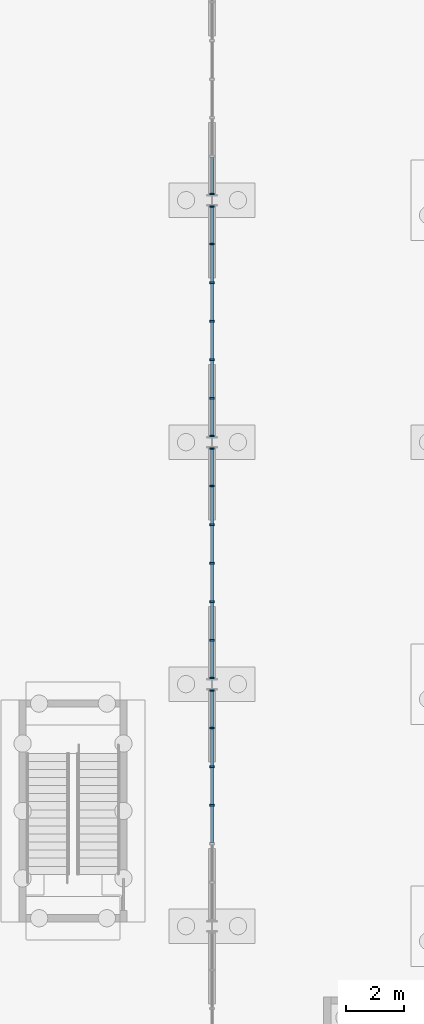
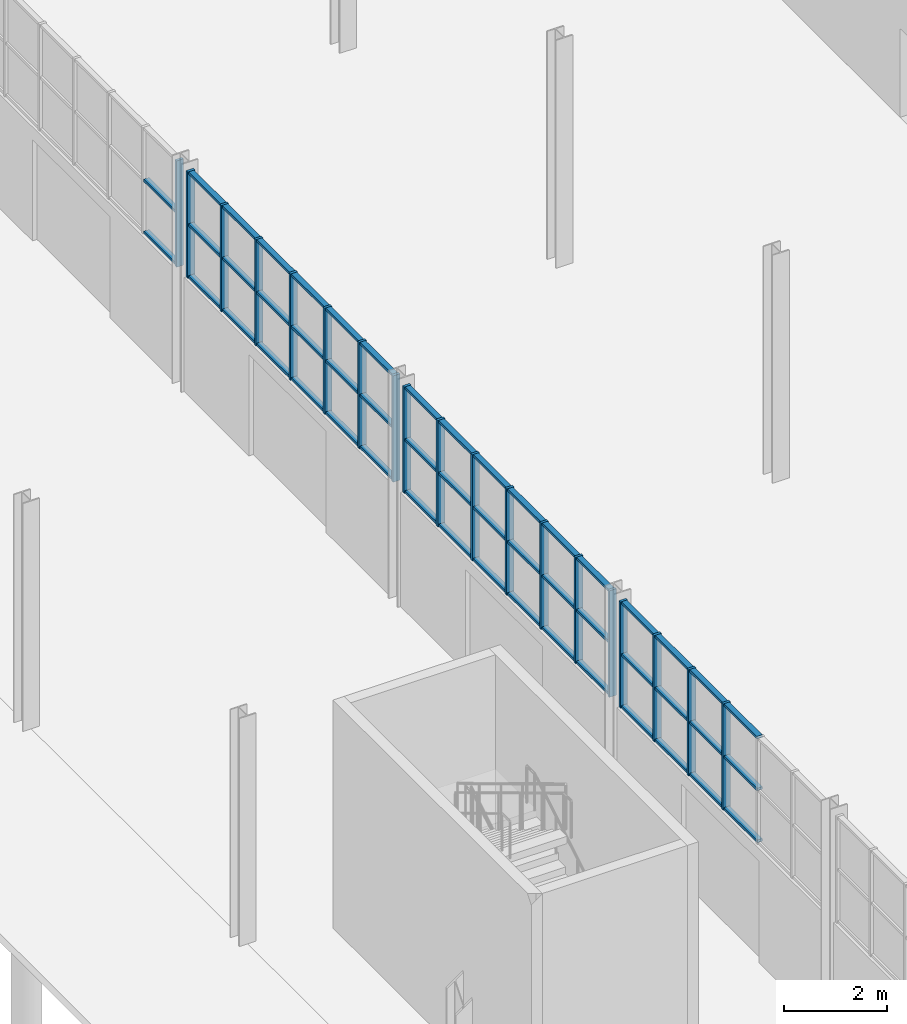
# One storey, part 35 of 127: 69 members, 4 elements without a shape of their own.
"""IFC4 building model written with IfcOpenShell, lengths in metres."""

from ifc_helpers import new_model, si_unit, direction, frame, origin, origin_2d, place, context, subcontext, project, spatial, rectangle, extrude, material, material_profile, profile_set, type_object, element, aggregate, save


model = new_model("IFC4")

# Units and contexts
model_context = context("Model", 3, precision=1e-05, world=origin(), true_north=direction((0.0, 1.0)))
body_context = subcontext(model_context, "Body", "Model", "MODEL_VIEW")
ifc_project = project(units=[si_unit("LENGTHUNIT", "METRE"), si_unit("AREAUNIT", "SQUARE_METRE"), si_unit("VOLUMEUNIT", "CUBIC_METRE"), si_unit("PLANEANGLEUNIT", "RADIAN"), si_unit("MASSUNIT", "GRAM", prefix="KILO")], contexts=[model_context])

# Site, building, storey
site_placement = place(None, origin())
site = spatial("IfcSite", under=ifc_project, at=site_placement, CompositionType="ELEMENT")
building_placement = place(site_placement, origin())
building = spatial("IfcBuilding", under=site, at=building_placement, Name="Ljudholm Concert House", CompositionType="ELEMENT")
storey_placement = place(building_placement, origin())
storey = spatial("IfcBuildingStorey", under=building, at=storey_placement, Name="L00", CompositionType="ELEMENT", Elevation=0.0)

# Curtain wall, members
ifc_material_1 = material(Name="Aluminium curtain wall with impact-rated laminated glass", Category="aluminium")
curtain_wall_type = type_object("IfcCurtainWallType", Name="CURTAIN WALL 1400", PredefinedType="NOTDEFINED", material=ifc_material_1)
curtain_wall_1_placement = place(storey_placement, origin())
curtain_wall_1 = element("IfcCurtainWall", 1, at=curtain_wall_1_placement, inside=storey, type_object=curtain_wall_type, Name="Foyer curtain wall", PredefinedType="NOTDEFINED")
ifc_material_2 = material(Name="Aluminium extrusion", Category="aluminium")
ifc_material_profile_1 = material_profile(ifc_material_2, rectangle(XDim=0.159912109375, YDim=0.06005859375, at=origin_2d()), Name="MULLION 60x160")
ifc_profile_set_1 = profile_set([ifc_material_profile_1], Name="Aluminium extrusion")
member_type_1 = type_object("IfcMemberType", Name="MULLION 60x160", PredefinedType="MULLION", material=ifc_profile_set_1)
member_1_placement = place(storey_placement, frame((12.39990234375, 67.0, 2.699951171875), z_axis=(0.0, 0.0, 1.0), x_axis=(-1.0, 0.0, 0.0)))
member_1 = element("IfcMember", 2, at=member_1_placement, type_object=member_type_1, Name="Mullion", PredefinedType="MULLION", context=body_context, shape_type="SweptSolid", body=[
    extrude(rectangle(XDim=0.159912109375, YDim=0.06005859375, at=origin_2d()), origin(), (0.0, 0.0, 1.0), 2.52001953125),
])
member_2_placement = place(storey_placement, frame((12.39990234375, 68.337890625, 2.699951171875), z_axis=(0.0, 0.0, 1.0), x_axis=(-1.0, 0.0, 0.0)))
member_2 = element("IfcMember", 3, at=member_2_placement, type_object=member_type_1, Name="Mullion", PredefinedType="MULLION", context=body_context, shape_type="SweptSolid", body=[
    extrude(rectangle(XDim=0.159912109375, YDim=0.06005859375, at=origin_2d()), origin(), (0.0, 0.0, 1.0), 2.52001953125),
])
member_3_placement = place(storey_placement, frame((12.39990234375, 69.675537109375, 2.699951171875), z_axis=(0.0, 0.0, 1.0), x_axis=(-1.0, 0.0, 0.0)))
member_3 = element("IfcMember", 4, at=member_3_placement, type_object=member_type_1, Name="Mullion", PredefinedType="MULLION", context=body_context, shape_type="SweptSolid", body=[
    extrude(rectangle(XDim=0.159912109375, YDim=0.06005859375, at=origin_2d()), origin(), (0.0, 0.0, 1.0), 2.52001953125),
])
member_4_placement = place(storey_placement, frame((12.39990234375, 70.9833984375, 2.699951171875), z_axis=(0.0, 0.0, 1.0), x_axis=(-1.0, 0.0, 0.0)))
member_4 = element("IfcMember", 5, at=member_4_placement, type_object=member_type_1, Name="Mullion", PredefinedType="MULLION", context=body_context, shape_type="SweptSolid", body=[
    extrude(rectangle(XDim=0.159912109375, YDim=0.06005859375, at=origin_2d()), origin(), (0.0, 0.0, 1.0), 2.52001953125),
])

curtain_wall_2_placement = place(storey_placement, origin())
curtain_wall_2 = element("IfcCurtainWall", 6, at=curtain_wall_2_placement, inside=storey, type_object=curtain_wall_type, Name="Foyer curtain wall", PredefinedType="NOTDEFINED")
member_5_placement = place(storey_placement, frame((12.39990234375, 71.416748046875, 2.699951171875), z_axis=(0.0, 0.0, 1.0), x_axis=(-1.0, 0.0, 0.0)))
member_5 = element("IfcMember", 7, at=member_5_placement, type_object=member_type_1, Name="Mullion", PredefinedType="MULLION", context=body_context, shape_type="SweptSolid", body=[
    extrude(rectangle(XDim=0.159912109375, YDim=0.06005859375, at=origin_2d()), origin(), (0.0, 0.0, 1.0), 2.52001953125),
])
member_6_placement = place(storey_placement, frame((12.39990234375, 72.724365234375, 2.699951171875), z_axis=(0.0, 0.0, 1.0), x_axis=(-1.0, 0.0, 0.0)))
member_6 = element("IfcMember", 8, at=member_6_placement, type_object=member_type_1, Name="Mullion", PredefinedType="MULLION", context=body_context, shape_type="SweptSolid", body=[
    extrude(rectangle(XDim=0.159912109375, YDim=0.06005859375, at=origin_2d()), origin(), (0.0, 0.0, 1.0), 2.52001953125),
])
member_7_placement = place(storey_placement, frame((12.39990234375, 74.062255859375, 2.699951171875), z_axis=(0.0, 0.0, 1.0), x_axis=(-1.0, 0.0, 0.0)))
member_7 = element("IfcMember", 9, at=member_7_placement, type_object=member_type_1, Name="Mullion", PredefinedType="MULLION", context=body_context, shape_type="SweptSolid", body=[
    extrude(rectangle(XDim=0.159912109375, YDim=0.06005859375, at=origin_2d()), origin(), (0.0, 0.0, 1.0), 2.52001953125),
])
member_8_placement = place(storey_placement, frame((12.39990234375, 75.39990234375, 2.699951171875), z_axis=(0.0, 0.0, 1.0), x_axis=(-1.0, 0.0, 0.0)))
member_8 = element("IfcMember", 10, at=member_8_placement, type_object=member_type_1, Name="Mullion", PredefinedType="MULLION", context=body_context, shape_type="SweptSolid", body=[
    extrude(rectangle(XDim=0.159912109375, YDim=0.06005859375, at=origin_2d()), origin(), (0.0, 0.0, 1.0), 2.52001953125),
])
member_9_placement = place(storey_placement, frame((12.39990234375, 76.73779296875, 2.699951171875), z_axis=(0.0, 0.0, 1.0), x_axis=(-1.0, 0.0, 0.0)))
member_9 = element("IfcMember", 11, at=member_9_placement, type_object=member_type_1, Name="Mullion", PredefinedType="MULLION", context=body_context, shape_type="SweptSolid", body=[
    extrude(rectangle(XDim=0.159912109375, YDim=0.06005859375, at=origin_2d()), origin(), (0.0, 0.0, 1.0), 2.52001953125),
])
member_10_placement = place(storey_placement, frame((12.39990234375, 78.075439453125, 2.699951171875), z_axis=(0.0, 0.0, 1.0), x_axis=(-1.0, 0.0, 0.0)))
member_10 = element("IfcMember", 12, at=member_10_placement, type_object=member_type_1, Name="Mullion", PredefinedType="MULLION", context=body_context, shape_type="SweptSolid", body=[
    extrude(rectangle(XDim=0.159912109375, YDim=0.06005859375, at=origin_2d()), origin(), (0.0, 0.0, 1.0), 2.52001953125),
])
member_11_placement = place(storey_placement, frame((12.39990234375, 79.38330078125, 2.699951171875), z_axis=(0.0, 0.0, 1.0), x_axis=(-1.0, 0.0, 0.0)))
member_11 = element("IfcMember", 13, at=member_11_placement, type_object=member_type_1, Name="Mullion", PredefinedType="MULLION", context=body_context, shape_type="SweptSolid", body=[
    extrude(rectangle(XDim=0.159912109375, YDim=0.06005859375, at=origin_2d()), origin(), (0.0, 0.0, 1.0), 2.52001953125),
])

curtain_wall_3_placement = place(storey_placement, origin())
curtain_wall_3 = element("IfcCurtainWall", 14, at=curtain_wall_3_placement, inside=storey, type_object=curtain_wall_type, Name="Foyer curtain wall", PredefinedType="NOTDEFINED")
member_12_placement = place(storey_placement, frame((12.39990234375, 79.816650390625, 2.699951171875), z_axis=(0.0, 0.0, 1.0), x_axis=(-1.0, 0.0, 0.0)))
member_12 = element("IfcMember", 15, at=member_12_placement, type_object=member_type_1, Name="Mullion", PredefinedType="MULLION", context=body_context, shape_type="SweptSolid", body=[
    extrude(rectangle(XDim=0.159912109375, YDim=0.06005859375, at=origin_2d()), origin(), (0.0, 0.0, 1.0), 2.52001953125),
])
member_13_placement = place(storey_placement, frame((12.39990234375, 81.12451171875, 2.699951171875), z_axis=(0.0, 0.0, 1.0), x_axis=(-1.0, 0.0, 0.0)))
member_13 = element("IfcMember", 16, at=member_13_placement, type_object=member_type_1, Name="Mullion", PredefinedType="MULLION", context=body_context, shape_type="SweptSolid", body=[
    extrude(rectangle(XDim=0.159912109375, YDim=0.06005859375, at=origin_2d()), origin(), (0.0, 0.0, 1.0), 2.52001953125),
])
member_14_placement = place(storey_placement, frame((12.39990234375, 82.462158203125, 2.699951171875), z_axis=(0.0, 0.0, 1.0), x_axis=(-1.0, 0.0, 0.0)))
member_14 = element("IfcMember", 17, at=member_14_placement, type_object=member_type_1, Name="Mullion", PredefinedType="MULLION", context=body_context, shape_type="SweptSolid", body=[
    extrude(rectangle(XDim=0.159912109375, YDim=0.06005859375, at=origin_2d()), origin(), (0.0, 0.0, 1.0), 2.52001953125),
])
member_15_placement = place(storey_placement, frame((12.39990234375, 83.800048828125, 2.699951171875), z_axis=(0.0, 0.0, 1.0), x_axis=(-1.0, 0.0, 0.0)))
member_15 = element("IfcMember", 18, at=member_15_placement, type_object=member_type_1, Name="Mullion", PredefinedType="MULLION", context=body_context, shape_type="SweptSolid", body=[
    extrude(rectangle(XDim=0.159912109375, YDim=0.06005859375, at=origin_2d()), origin(), (0.0, 0.0, 1.0), 2.52001953125),
])
member_16_placement = place(storey_placement, frame((12.39990234375, 85.1376953125, 2.699951171875), z_axis=(0.0, 0.0, 1.0), x_axis=(-1.0, 0.0, 0.0)))
member_16 = element("IfcMember", 19, at=member_16_placement, type_object=member_type_1, Name="Mullion", PredefinedType="MULLION", context=body_context, shape_type="SweptSolid", body=[
    extrude(rectangle(XDim=0.159912109375, YDim=0.06005859375, at=origin_2d()), origin(), (0.0, 0.0, 1.0), 2.52001953125),
])
member_17_placement = place(storey_placement, frame((12.39990234375, 86.4755859375, 2.699951171875), z_axis=(0.0, 0.0, 1.0), x_axis=(-1.0, 0.0, 0.0)))
member_17 = element("IfcMember", 20, at=member_17_placement, type_object=member_type_1, Name="Mullion", PredefinedType="MULLION", context=body_context, shape_type="SweptSolid", body=[
    extrude(rectangle(XDim=0.159912109375, YDim=0.06005859375, at=origin_2d()), origin(), (0.0, 0.0, 1.0), 2.52001953125),
])
member_18_placement = place(storey_placement, frame((12.39990234375, 87.783203125, 2.699951171875), z_axis=(0.0, 0.0, 1.0), x_axis=(-1.0, 0.0, 0.0)))
member_18 = element("IfcMember", 21, at=member_18_placement, type_object=member_type_1, Name="Mullion", PredefinedType="MULLION", context=body_context, shape_type="SweptSolid", body=[
    extrude(rectangle(XDim=0.159912109375, YDim=0.06005859375, at=origin_2d()), origin(), (0.0, 0.0, 1.0), 2.52001953125),
])

# Curtain wall, member
curtain_wall_4_placement = place(storey_placement, origin())
curtain_wall_4 = element("IfcCurtainWall", 22, at=curtain_wall_4_placement, inside=storey, type_object=curtain_wall_type, Name="Foyer curtain wall", PredefinedType="NOTDEFINED")
member_19_placement = place(storey_placement, frame((12.39990234375, 88.216796875, 2.699951171875), z_axis=(0.0, 0.0, 1.0), x_axis=(-1.0, 0.0, 0.0)))
member_19 = element("IfcMember", 23, at=member_19_placement, type_object=member_type_1, Name="Mullion", PredefinedType="MULLION", context=body_context, shape_type="SweptSolid", body=[
    extrude(rectangle(XDim=0.159912109375, YDim=0.06005859375, at=origin_2d()), origin(), (0.0, 0.0, 1.0), 2.52001953125),
])

# Member
ifc_material_3 = material(Name="Aluminium extrusion", Category="aluminium")
ifc_material_profile_2 = material_profile(ifc_material_3, rectangle(XDim=0.1201171875, YDim=0.06005859375, at=origin_2d()), Name="TRANSOM 60x120")
ifc_profile_set_2 = profile_set([ifc_material_profile_2], Name="Aluminium extrusion")
member_type_2 = type_object("IfcMemberType", Name="TRANSOM 60x120", PredefinedType="USERDEFINED", material=ifc_profile_set_2)
member_20_placement = place(storey_placement, frame((12.39990234375, 65.692138671875, 2.72998046875), z_axis=(0.0, 1.0, 0.0), x_axis=(-1.0, 0.0, 0.0)))
member_20 = element("IfcMember", 24, at=member_20_placement, type_object=member_type_2, Name="Transom", ObjectType="TRANSOM", PredefinedType="USERDEFINED", context=body_context, shape_type="SweptSolid", body=[
    extrude(rectangle(XDim=0.1201171875, YDim=0.06005859375, at=origin_2d()), origin(), (0.0, 0.0, 1.0), 1.27783203125),
])

member_21_placement = place(storey_placement, frame((12.39990234375, 65.692138671875, 3.9599609375), z_axis=(0.0, 1.0, 0.0), x_axis=(-1.0, 0.0, 0.0)))
member_21 = element("IfcMember", 25, at=member_21_placement, type_object=member_type_2, Name="Transom", ObjectType="TRANSOM", PredefinedType="USERDEFINED", context=body_context, shape_type="SweptSolid", body=[
    extrude(rectangle(XDim=0.1201171875, YDim=0.06005859375, at=origin_2d()), origin(), (0.0, 0.0, 1.0), 1.27783203125),
])

member_22_placement = place(storey_placement, frame((12.39990234375, 65.692138671875, 5.18994140625), z_axis=(0.0, 1.0, 0.0), x_axis=(-1.0, 0.0, 0.0)))
member_22 = element("IfcMember", 26, at=member_22_placement, type_object=member_type_2, Name="Transom", ObjectType="TRANSOM", PredefinedType="USERDEFINED", context=body_context, shape_type="SweptSolid", body=[
    extrude(rectangle(XDim=0.1201171875, YDim=0.06005859375, at=origin_2d()), origin(), (0.0, 0.0, 1.0), 1.27783203125),
])

member_23_placement = place(storey_placement, frame((12.39990234375, 67.030029296875, 2.72998046875), z_axis=(0.0, 1.0, 0.0), x_axis=(-1.0, 0.0, 0.0)))
member_23 = element("IfcMember", 27, at=member_23_placement, type_object=member_type_2, Name="Transom", ObjectType="TRANSOM", PredefinedType="USERDEFINED", context=body_context, shape_type="SweptSolid", body=[
    extrude(rectangle(XDim=0.1201171875, YDim=0.06005859375, at=origin_2d()), origin(), (0.0, 0.0, 1.0), 1.27783203125),
])

member_24_placement = place(storey_placement, frame((12.39990234375, 67.030029296875, 3.9599609375), z_axis=(0.0, 1.0, 0.0), x_axis=(-1.0, 0.0, 0.0)))
member_24 = element("IfcMember", 28, at=member_24_placement, type_object=member_type_2, Name="Transom", ObjectType="TRANSOM", PredefinedType="USERDEFINED", context=body_context, shape_type="SweptSolid", body=[
    extrude(rectangle(XDim=0.1201171875, YDim=0.06005859375, at=origin_2d()), origin(), (0.0, 0.0, 1.0), 1.27783203125),
])

member_25_placement = place(storey_placement, frame((12.39990234375, 67.030029296875, 5.18994140625), z_axis=(0.0, 1.0, 0.0), x_axis=(-1.0, 0.0, 0.0)))
member_25 = element("IfcMember", 29, at=member_25_placement, type_object=member_type_2, Name="Transom", ObjectType="TRANSOM", PredefinedType="USERDEFINED", context=body_context, shape_type="SweptSolid", body=[
    extrude(rectangle(XDim=0.1201171875, YDim=0.06005859375, at=origin_2d()), origin(), (0.0, 0.0, 1.0), 1.27783203125),
])

member_26_placement = place(storey_placement, frame((12.39990234375, 68.36767578125, 2.72998046875), z_axis=(0.0, 1.0, 0.0), x_axis=(-1.0, 0.0, 0.0)))
member_26 = element("IfcMember", 30, at=member_26_placement, type_object=member_type_2, Name="Transom", ObjectType="TRANSOM", PredefinedType="USERDEFINED", context=body_context, shape_type="SweptSolid", body=[
    extrude(rectangle(XDim=0.1201171875, YDim=0.06005859375, at=origin_2d()), origin(), (0.0, 0.0, 1.0), 1.27783203125),
])

member_27_placement = place(storey_placement, frame((12.39990234375, 68.36767578125, 3.9599609375), z_axis=(0.0, 1.0, 0.0), x_axis=(-1.0, 0.0, 0.0)))
member_27 = element("IfcMember", 31, at=member_27_placement, type_object=member_type_2, Name="Transom", ObjectType="TRANSOM", PredefinedType="USERDEFINED", context=body_context, shape_type="SweptSolid", body=[
    extrude(rectangle(XDim=0.1201171875, YDim=0.06005859375, at=origin_2d()), origin(), (0.0, 0.0, 1.0), 1.27783203125),
])

member_28_placement = place(storey_placement, frame((12.39990234375, 68.36767578125, 5.18994140625), z_axis=(0.0, 1.0, 0.0), x_axis=(-1.0, 0.0, 0.0)))
member_28 = element("IfcMember", 32, at=member_28_placement, type_object=member_type_2, Name="Transom", ObjectType="TRANSOM", PredefinedType="USERDEFINED", context=body_context, shape_type="SweptSolid", body=[
    extrude(rectangle(XDim=0.1201171875, YDim=0.06005859375, at=origin_2d()), origin(), (0.0, 0.0, 1.0), 1.27783203125),
])

member_29_placement = place(storey_placement, frame((12.39990234375, 69.70556640625, 2.72998046875), z_axis=(0.0, 1.0, 0.0), x_axis=(-1.0, 0.0, 0.0)))
member_29 = element("IfcMember", 33, at=member_29_placement, type_object=member_type_2, Name="Transom", ObjectType="TRANSOM", PredefinedType="USERDEFINED", context=body_context, shape_type="SweptSolid", body=[
    extrude(rectangle(XDim=0.1201171875, YDim=0.06005859375, at=origin_2d()), origin(), (0.0, 0.0, 1.0), 1.247802734375),
])

member_30_placement = place(storey_placement, frame((12.39990234375, 69.70556640625, 3.9599609375), z_axis=(0.0, 1.0, 0.0), x_axis=(-1.0, 0.0, 0.0)))
member_30 = element("IfcMember", 34, at=member_30_placement, type_object=member_type_2, Name="Transom", ObjectType="TRANSOM", PredefinedType="USERDEFINED", context=body_context, shape_type="SweptSolid", body=[
    extrude(rectangle(XDim=0.1201171875, YDim=0.06005859375, at=origin_2d()), origin(), (0.0, 0.0, 1.0), 1.247802734375),
])

member_31_placement = place(storey_placement, frame((12.39990234375, 69.70556640625, 5.18994140625), z_axis=(0.0, 1.0, 0.0), x_axis=(-1.0, 0.0, 0.0)))
member_31 = element("IfcMember", 35, at=member_31_placement, type_object=member_type_2, Name="Transom", ObjectType="TRANSOM", PredefinedType="USERDEFINED", context=body_context, shape_type="SweptSolid", body=[
    extrude(rectangle(XDim=0.1201171875, YDim=0.06005859375, at=origin_2d()), origin(), (0.0, 0.0, 1.0), 1.247802734375),
])

aggregate(curtain_wall_1, [member_1, member_2, member_3, member_4, member_20, member_21, member_22, member_23, member_24, member_25, member_26, member_27, member_28, member_29, member_30, member_31])

member_32_placement = place(storey_placement, frame((12.39990234375, 71.44677734375, 2.72998046875), z_axis=(0.0, 1.0, 0.0), x_axis=(-1.0, 0.0, 0.0)))
member_32 = element("IfcMember", 36, at=member_32_placement, type_object=member_type_2, Name="Transom", ObjectType="TRANSOM", PredefinedType="USERDEFINED", context=body_context, shape_type="SweptSolid", body=[
    extrude(rectangle(XDim=0.1201171875, YDim=0.06005859375, at=origin_2d()), origin(), (0.0, 0.0, 1.0), 1.247802734375),
])

member_33_placement = place(storey_placement, frame((12.39990234375, 71.44677734375, 3.9599609375), z_axis=(0.0, 1.0, 0.0), x_axis=(-1.0, 0.0, 0.0)))
member_33 = element("IfcMember", 37, at=member_33_placement, type_object=member_type_2, Name="Transom", ObjectType="TRANSOM", PredefinedType="USERDEFINED", context=body_context, shape_type="SweptSolid", body=[
    extrude(rectangle(XDim=0.1201171875, YDim=0.06005859375, at=origin_2d()), origin(), (0.0, 0.0, 1.0), 1.247802734375),
])

member_34_placement = place(storey_placement, frame((12.39990234375, 71.44677734375, 5.18994140625), z_axis=(0.0, 1.0, 0.0), x_axis=(-1.0, 0.0, 0.0)))
member_34 = element("IfcMember", 38, at=member_34_placement, type_object=member_type_2, Name="Transom", ObjectType="TRANSOM", PredefinedType="USERDEFINED", context=body_context, shape_type="SweptSolid", body=[
    extrude(rectangle(XDim=0.1201171875, YDim=0.06005859375, at=origin_2d()), origin(), (0.0, 0.0, 1.0), 1.247802734375),
])

member_35_placement = place(storey_placement, frame((12.39990234375, 72.75439453125, 2.72998046875), z_axis=(0.0, 1.0, 0.0), x_axis=(-1.0, 0.0, 0.0)))
member_35 = element("IfcMember", 39, at=member_35_placement, type_object=member_type_2, Name="Transom", ObjectType="TRANSOM", PredefinedType="USERDEFINED", context=body_context, shape_type="SweptSolid", body=[
    extrude(rectangle(XDim=0.1201171875, YDim=0.06005859375, at=origin_2d()), origin(), (0.0, 0.0, 1.0), 1.27783203125),
])

member_36_placement = place(storey_placement, frame((12.39990234375, 72.75439453125, 3.9599609375), z_axis=(0.0, 1.0, 0.0), x_axis=(-1.0, 0.0, 0.0)))
member_36 = element("IfcMember", 40, at=member_36_placement, type_object=member_type_2, Name="Transom", ObjectType="TRANSOM", PredefinedType="USERDEFINED", context=body_context, shape_type="SweptSolid", body=[
    extrude(rectangle(XDim=0.1201171875, YDim=0.06005859375, at=origin_2d()), origin(), (0.0, 0.0, 1.0), 1.27783203125),
])

member_37_placement = place(storey_placement, frame((12.39990234375, 72.75439453125, 5.18994140625), z_axis=(0.0, 1.0, 0.0), x_axis=(-1.0, 0.0, 0.0)))
member_37 = element("IfcMember", 41, at=member_37_placement, type_object=member_type_2, Name="Transom", ObjectType="TRANSOM", PredefinedType="USERDEFINED", context=body_context, shape_type="SweptSolid", body=[
    extrude(rectangle(XDim=0.1201171875, YDim=0.06005859375, at=origin_2d()), origin(), (0.0, 0.0, 1.0), 1.27783203125),
])

member_38_placement = place(storey_placement, frame((12.39990234375, 74.09228515625, 2.72998046875), z_axis=(0.0, 1.0, 0.0), x_axis=(-1.0, 0.0, 0.0)))
member_38 = element("IfcMember", 42, at=member_38_placement, type_object=member_type_2, Name="Transom", ObjectType="TRANSOM", PredefinedType="USERDEFINED", context=body_context, shape_type="SweptSolid", body=[
    extrude(rectangle(XDim=0.1201171875, YDim=0.06005859375, at=origin_2d()), origin(), (0.0, 0.0, 1.0), 1.27783203125),
])

member_39_placement = place(storey_placement, frame((12.39990234375, 74.09228515625, 3.9599609375), z_axis=(0.0, 1.0, 0.0), x_axis=(-1.0, 0.0, 0.0)))
member_39 = element("IfcMember", 43, at=member_39_placement, type_object=member_type_2, Name="Transom", ObjectType="TRANSOM", PredefinedType="USERDEFINED", context=body_context, shape_type="SweptSolid", body=[
    extrude(rectangle(XDim=0.1201171875, YDim=0.06005859375, at=origin_2d()), origin(), (0.0, 0.0, 1.0), 1.27783203125),
])

member_40_placement = place(storey_placement, frame((12.39990234375, 74.09228515625, 5.18994140625), z_axis=(0.0, 1.0, 0.0), x_axis=(-1.0, 0.0, 0.0)))
member_40 = element("IfcMember", 44, at=member_40_placement, type_object=member_type_2, Name="Transom", ObjectType="TRANSOM", PredefinedType="USERDEFINED", context=body_context, shape_type="SweptSolid", body=[
    extrude(rectangle(XDim=0.1201171875, YDim=0.06005859375, at=origin_2d()), origin(), (0.0, 0.0, 1.0), 1.27783203125),
])

member_41_placement = place(storey_placement, frame((12.39990234375, 75.429931640625, 2.72998046875), z_axis=(0.0, 1.0, 0.0), x_axis=(-1.0, 0.0, 0.0)))
member_41 = element("IfcMember", 45, at=member_41_placement, type_object=member_type_2, Name="Transom", ObjectType="TRANSOM", PredefinedType="USERDEFINED", context=body_context, shape_type="SweptSolid", body=[
    extrude(rectangle(XDim=0.1201171875, YDim=0.06005859375, at=origin_2d()), origin(), (0.0, 0.0, 1.0), 1.27783203125),
])

member_42_placement = place(storey_placement, frame((12.39990234375, 75.429931640625, 3.9599609375), z_axis=(0.0, 1.0, 0.0), x_axis=(-1.0, 0.0, 0.0)))
member_42 = element("IfcMember", 46, at=member_42_placement, type_object=member_type_2, Name="Transom", ObjectType="TRANSOM", PredefinedType="USERDEFINED", context=body_context, shape_type="SweptSolid", body=[
    extrude(rectangle(XDim=0.1201171875, YDim=0.06005859375, at=origin_2d()), origin(), (0.0, 0.0, 1.0), 1.27783203125),
])

member_43_placement = place(storey_placement, frame((12.39990234375, 75.429931640625, 5.18994140625), z_axis=(0.0, 1.0, 0.0), x_axis=(-1.0, 0.0, 0.0)))
member_43 = element("IfcMember", 47, at=member_43_placement, type_object=member_type_2, Name="Transom", ObjectType="TRANSOM", PredefinedType="USERDEFINED", context=body_context, shape_type="SweptSolid", body=[
    extrude(rectangle(XDim=0.1201171875, YDim=0.06005859375, at=origin_2d()), origin(), (0.0, 0.0, 1.0), 1.27783203125),
])

member_44_placement = place(storey_placement, frame((12.39990234375, 76.767822265625, 2.72998046875), z_axis=(0.0, 1.0, 0.0), x_axis=(-1.0, 0.0, 0.0)))
member_44 = element("IfcMember", 48, at=member_44_placement, type_object=member_type_2, Name="Transom", ObjectType="TRANSOM", PredefinedType="USERDEFINED", context=body_context, shape_type="SweptSolid", body=[
    extrude(rectangle(XDim=0.1201171875, YDim=0.06005859375, at=origin_2d()), origin(), (0.0, 0.0, 1.0), 1.27783203125),
])

member_45_placement = place(storey_placement, frame((12.39990234375, 76.767822265625, 3.9599609375), z_axis=(0.0, 1.0, 0.0), x_axis=(-1.0, 0.0, 0.0)))
member_45 = element("IfcMember", 49, at=member_45_placement, type_object=member_type_2, Name="Transom", ObjectType="TRANSOM", PredefinedType="USERDEFINED", context=body_context, shape_type="SweptSolid", body=[
    extrude(rectangle(XDim=0.1201171875, YDim=0.06005859375, at=origin_2d()), origin(), (0.0, 0.0, 1.0), 1.27783203125),
])

member_46_placement = place(storey_placement, frame((12.39990234375, 76.767822265625, 5.18994140625), z_axis=(0.0, 1.0, 0.0), x_axis=(-1.0, 0.0, 0.0)))
member_46 = element("IfcMember", 50, at=member_46_placement, type_object=member_type_2, Name="Transom", ObjectType="TRANSOM", PredefinedType="USERDEFINED", context=body_context, shape_type="SweptSolid", body=[
    extrude(rectangle(XDim=0.1201171875, YDim=0.06005859375, at=origin_2d()), origin(), (0.0, 0.0, 1.0), 1.27783203125),
])

member_47_placement = place(storey_placement, frame((12.39990234375, 78.10546875, 2.72998046875), z_axis=(0.0, 1.0, 0.0), x_axis=(-1.0, 0.0, 0.0)))
member_47 = element("IfcMember", 51, at=member_47_placement, type_object=member_type_2, Name="Transom", ObjectType="TRANSOM", PredefinedType="USERDEFINED", context=body_context, shape_type="SweptSolid", body=[
    extrude(rectangle(XDim=0.1201171875, YDim=0.06005859375, at=origin_2d()), origin(), (0.0, 0.0, 1.0), 1.247802734375),
])

member_48_placement = place(storey_placement, frame((12.39990234375, 78.10546875, 3.9599609375), z_axis=(0.0, 1.0, 0.0), x_axis=(-1.0, 0.0, 0.0)))
member_48 = element("IfcMember", 52, at=member_48_placement, type_object=member_type_2, Name="Transom", ObjectType="TRANSOM", PredefinedType="USERDEFINED", context=body_context, shape_type="SweptSolid", body=[
    extrude(rectangle(XDim=0.1201171875, YDim=0.06005859375, at=origin_2d()), origin(), (0.0, 0.0, 1.0), 1.247802734375),
])

member_49_placement = place(storey_placement, frame((12.39990234375, 78.10546875, 5.18994140625), z_axis=(0.0, 1.0, 0.0), x_axis=(-1.0, 0.0, 0.0)))
member_49 = element("IfcMember", 53, at=member_49_placement, type_object=member_type_2, Name="Transom", ObjectType="TRANSOM", PredefinedType="USERDEFINED", context=body_context, shape_type="SweptSolid", body=[
    extrude(rectangle(XDim=0.1201171875, YDim=0.06005859375, at=origin_2d()), origin(), (0.0, 0.0, 1.0), 1.247802734375),
])

aggregate(curtain_wall_2, [member_5, member_6, member_7, member_8, member_9, member_10, member_11, member_32, member_33, member_34, member_35, member_36, member_37, member_38, member_39, member_40, member_41, member_42, member_43, member_44, member_45, member_46, member_47, member_48, member_49])

member_50_placement = place(storey_placement, frame((12.39990234375, 79.8466796875, 2.72998046875), z_axis=(0.0, 1.0, 0.0), x_axis=(-1.0, 0.0, 0.0)))
member_50 = element("IfcMember", 54, at=member_50_placement, type_object=member_type_2, Name="Transom", ObjectType="TRANSOM", PredefinedType="USERDEFINED", context=body_context, shape_type="SweptSolid", body=[
    extrude(rectangle(XDim=0.1201171875, YDim=0.06005859375, at=origin_2d()), origin(), (0.0, 0.0, 1.0), 1.247802734375),
])

member_51_placement = place(storey_placement, frame((12.39990234375, 79.8466796875, 3.9599609375), z_axis=(0.0, 1.0, 0.0), x_axis=(-1.0, 0.0, 0.0)))
member_51 = element("IfcMember", 55, at=member_51_placement, type_object=member_type_2, Name="Transom", ObjectType="TRANSOM", PredefinedType="USERDEFINED", context=body_context, shape_type="SweptSolid", body=[
    extrude(rectangle(XDim=0.1201171875, YDim=0.06005859375, at=origin_2d()), origin(), (0.0, 0.0, 1.0), 1.247802734375),
])

member_52_placement = place(storey_placement, frame((12.39990234375, 79.8466796875, 5.18994140625), z_axis=(0.0, 1.0, 0.0), x_axis=(-1.0, 0.0, 0.0)))
member_52 = element("IfcMember", 56, at=member_52_placement, type_object=member_type_2, Name="Transom", ObjectType="TRANSOM", PredefinedType="USERDEFINED", context=body_context, shape_type="SweptSolid", body=[
    extrude(rectangle(XDim=0.1201171875, YDim=0.06005859375, at=origin_2d()), origin(), (0.0, 0.0, 1.0), 1.247802734375),
])

member_53_placement = place(storey_placement, frame((12.39990234375, 81.154541015625, 2.72998046875), z_axis=(0.0, 1.0, 0.0), x_axis=(-1.0, 0.0, 0.0)))
member_53 = element("IfcMember", 57, at=member_53_placement, type_object=member_type_2, Name="Transom", ObjectType="TRANSOM", PredefinedType="USERDEFINED", context=body_context, shape_type="SweptSolid", body=[
    extrude(rectangle(XDim=0.1201171875, YDim=0.06005859375, at=origin_2d()), origin(), (0.0, 0.0, 1.0), 1.277587890625),
])

member_54_placement = place(storey_placement, frame((12.39990234375, 81.154541015625, 3.9599609375), z_axis=(0.0, 1.0, 0.0), x_axis=(-1.0, 0.0, 0.0)))
member_54 = element("IfcMember", 58, at=member_54_placement, type_object=member_type_2, Name="Transom", ObjectType="TRANSOM", PredefinedType="USERDEFINED", context=body_context, shape_type="SweptSolid", body=[
    extrude(rectangle(XDim=0.1201171875, YDim=0.06005859375, at=origin_2d()), origin(), (0.0, 0.0, 1.0), 1.277587890625),
])

member_55_placement = place(storey_placement, frame((12.39990234375, 81.154541015625, 5.18994140625), z_axis=(0.0, 1.0, 0.0), x_axis=(-1.0, 0.0, 0.0)))
member_55 = element("IfcMember", 59, at=member_55_placement, type_object=member_type_2, Name="Transom", ObjectType="TRANSOM", PredefinedType="USERDEFINED", context=body_context, shape_type="SweptSolid", body=[
    extrude(rectangle(XDim=0.1201171875, YDim=0.06005859375, at=origin_2d()), origin(), (0.0, 0.0, 1.0), 1.277587890625),
])

member_56_placement = place(storey_placement, frame((12.39990234375, 82.4921875, 2.72998046875), z_axis=(0.0, 1.0, 0.0), x_axis=(-1.0, 0.0, 0.0)))
member_56 = element("IfcMember", 60, at=member_56_placement, type_object=member_type_2, Name="Transom", ObjectType="TRANSOM", PredefinedType="USERDEFINED", context=body_context, shape_type="SweptSolid", body=[
    extrude(rectangle(XDim=0.1201171875, YDim=0.06005859375, at=origin_2d()), origin(), (0.0, 0.0, 1.0), 1.27783203125),
])

member_57_placement = place(storey_placement, frame((12.39990234375, 82.4921875, 3.9599609375), z_axis=(0.0, 1.0, 0.0), x_axis=(-1.0, 0.0, 0.0)))
member_57 = element("IfcMember", 61, at=member_57_placement, type_object=member_type_2, Name="Transom", ObjectType="TRANSOM", PredefinedType="USERDEFINED", context=body_context, shape_type="SweptSolid", body=[
    extrude(rectangle(XDim=0.1201171875, YDim=0.06005859375, at=origin_2d()), origin(), (0.0, 0.0, 1.0), 1.27783203125),
])

member_58_placement = place(storey_placement, frame((12.39990234375, 82.4921875, 5.18994140625), z_axis=(0.0, 1.0, 0.0), x_axis=(-1.0, 0.0, 0.0)))
member_58 = element("IfcMember", 62, at=member_58_placement, type_object=member_type_2, Name="Transom", ObjectType="TRANSOM", PredefinedType="USERDEFINED", context=body_context, shape_type="SweptSolid", body=[
    extrude(rectangle(XDim=0.1201171875, YDim=0.06005859375, at=origin_2d()), origin(), (0.0, 0.0, 1.0), 1.27783203125),
])

member_59_placement = place(storey_placement, frame((12.39990234375, 83.830078125, 2.72998046875), z_axis=(0.0, 1.0, 0.0), x_axis=(-1.0, 0.0, 0.0)))
member_59 = element("IfcMember", 63, at=member_59_placement, type_object=member_type_2, Name="Transom", ObjectType="TRANSOM", PredefinedType="USERDEFINED", context=body_context, shape_type="SweptSolid", body=[
    extrude(rectangle(XDim=0.1201171875, YDim=0.06005859375, at=origin_2d()), origin(), (0.0, 0.0, 1.0), 1.277587890625),
])

member_60_placement = place(storey_placement, frame((12.39990234375, 83.830078125, 3.9599609375), z_axis=(0.0, 1.0, 0.0), x_axis=(-1.0, 0.0, 0.0)))
member_60 = element("IfcMember", 64, at=member_60_placement, type_object=member_type_2, Name="Transom", ObjectType="TRANSOM", PredefinedType="USERDEFINED", context=body_context, shape_type="SweptSolid", body=[
    extrude(rectangle(XDim=0.1201171875, YDim=0.06005859375, at=origin_2d()), origin(), (0.0, 0.0, 1.0), 1.277587890625),
])

member_61_placement = place(storey_placement, frame((12.39990234375, 83.830078125, 5.18994140625), z_axis=(0.0, 1.0, 0.0), x_axis=(-1.0, 0.0, 0.0)))
member_61 = element("IfcMember", 65, at=member_61_placement, type_object=member_type_2, Name="Transom", ObjectType="TRANSOM", PredefinedType="USERDEFINED", context=body_context, shape_type="SweptSolid", body=[
    extrude(rectangle(XDim=0.1201171875, YDim=0.06005859375, at=origin_2d()), origin(), (0.0, 0.0, 1.0), 1.277587890625),
])

member_62_placement = place(storey_placement, frame((12.39990234375, 85.167724609375, 2.72998046875), z_axis=(0.0, 1.0, 0.0), x_axis=(-1.0, 0.0, 0.0)))
member_62 = element("IfcMember", 66, at=member_62_placement, type_object=member_type_2, Name="Transom", ObjectType="TRANSOM", PredefinedType="USERDEFINED", context=body_context, shape_type="SweptSolid", body=[
    extrude(rectangle(XDim=0.1201171875, YDim=0.06005859375, at=origin_2d()), origin(), (0.0, 0.0, 1.0), 1.27783203125),
])

member_63_placement = place(storey_placement, frame((12.39990234375, 85.167724609375, 3.9599609375), z_axis=(0.0, 1.0, 0.0), x_axis=(-1.0, 0.0, 0.0)))
member_63 = element("IfcMember", 67, at=member_63_placement, type_object=member_type_2, Name="Transom", ObjectType="TRANSOM", PredefinedType="USERDEFINED", context=body_context, shape_type="SweptSolid", body=[
    extrude(rectangle(XDim=0.1201171875, YDim=0.06005859375, at=origin_2d()), origin(), (0.0, 0.0, 1.0), 1.27783203125),
])

member_64_placement = place(storey_placement, frame((12.39990234375, 85.167724609375, 5.18994140625), z_axis=(0.0, 1.0, 0.0), x_axis=(-1.0, 0.0, 0.0)))
member_64 = element("IfcMember", 68, at=member_64_placement, type_object=member_type_2, Name="Transom", ObjectType="TRANSOM", PredefinedType="USERDEFINED", context=body_context, shape_type="SweptSolid", body=[
    extrude(rectangle(XDim=0.1201171875, YDim=0.06005859375, at=origin_2d()), origin(), (0.0, 0.0, 1.0), 1.27783203125),
])

member_65_placement = place(storey_placement, frame((12.39990234375, 86.505615234375, 2.72998046875), z_axis=(0.0, 1.0, 0.0), x_axis=(-1.0, 0.0, 0.0)))
member_65 = element("IfcMember", 69, at=member_65_placement, type_object=member_type_2, Name="Transom", ObjectType="TRANSOM", PredefinedType="USERDEFINED", context=body_context, shape_type="SweptSolid", body=[
    extrude(rectangle(XDim=0.1201171875, YDim=0.06005859375, at=origin_2d()), origin(), (0.0, 0.0, 1.0), 1.247802734375),
])

member_66_placement = place(storey_placement, frame((12.39990234375, 86.505615234375, 3.9599609375), z_axis=(0.0, 1.0, 0.0), x_axis=(-1.0, 0.0, 0.0)))
member_66 = element("IfcMember", 70, at=member_66_placement, type_object=member_type_2, Name="Transom", ObjectType="TRANSOM", PredefinedType="USERDEFINED", context=body_context, shape_type="SweptSolid", body=[
    extrude(rectangle(XDim=0.1201171875, YDim=0.06005859375, at=origin_2d()), origin(), (0.0, 0.0, 1.0), 1.247802734375),
])

member_67_placement = place(storey_placement, frame((12.39990234375, 86.505615234375, 5.18994140625), z_axis=(0.0, 1.0, 0.0), x_axis=(-1.0, 0.0, 0.0)))
member_67 = element("IfcMember", 71, at=member_67_placement, type_object=member_type_2, Name="Transom", ObjectType="TRANSOM", PredefinedType="USERDEFINED", context=body_context, shape_type="SweptSolid", body=[
    extrude(rectangle(XDim=0.1201171875, YDim=0.06005859375, at=origin_2d()), origin(), (0.0, 0.0, 1.0), 1.247802734375),
])

aggregate(curtain_wall_3, [member_12, member_13, member_14, member_15, member_16, member_17, member_18, member_50, member_51, member_52, member_53, member_54, member_55, member_56, member_57, member_58, member_59, member_60, member_61, member_62, member_63, member_64, member_65, member_66, member_67])

member_68_placement = place(storey_placement, frame((12.39990234375, 88.24658203125, 2.72998046875), z_axis=(0.0, 1.0, 0.0), x_axis=(-1.0, 0.0, 0.0)))
member_68 = element("IfcMember", 72, at=member_68_placement, type_object=member_type_2, Name="Transom", ObjectType="TRANSOM", PredefinedType="USERDEFINED", context=body_context, shape_type="SweptSolid", body=[
    extrude(rectangle(XDim=0.1201171875, YDim=0.06005859375, at=origin_2d()), origin(), (0.0, 0.0, 1.0), 1.247802734375),
])

member_69_placement = place(storey_placement, frame((12.39990234375, 88.24658203125, 3.9599609375), z_axis=(0.0, 1.0, 0.0), x_axis=(-1.0, 0.0, 0.0)))
member_69 = element("IfcMember", 73, at=member_69_placement, type_object=member_type_2, Name="Transom", ObjectType="TRANSOM", PredefinedType="USERDEFINED", context=body_context, shape_type="SweptSolid", body=[
    extrude(rectangle(XDim=0.1201171875, YDim=0.06005859375, at=origin_2d()), origin(), (0.0, 0.0, 1.0), 1.247802734375),
])

aggregate(curtain_wall_4, [member_19, member_68, member_69])

save(model, "model.ifc")
